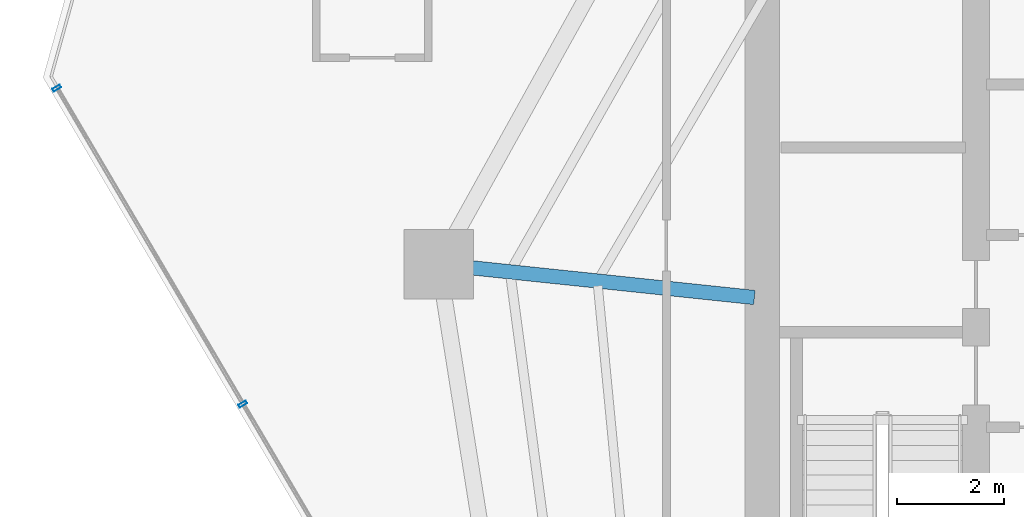
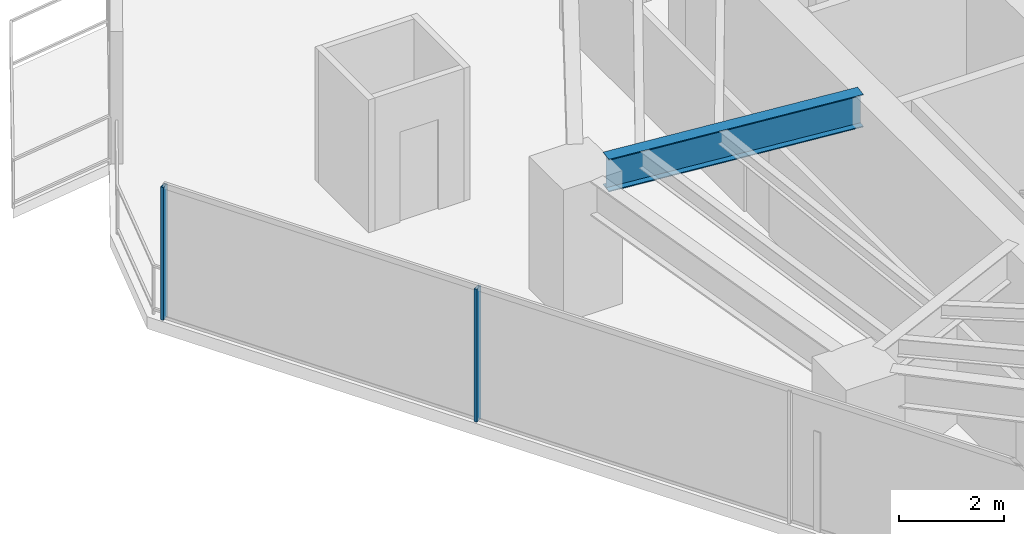
# One storey, part 9 of 31: 2 members, 1 beam, 1 element without a shape of its own.
"""IFC4 building model written with IfcOpenShell, lengths in metres."""

from ifc_helpers import new_model, si_unit, direction, frame, origin, origin_2d, place, context, subcontext, project, spatial, hollow_rectangle, i_section, extrude, material, layer, layer_set, material_profile, profile_set, type_object, element, aggregate, save


model = new_model("IFC4")

# Units and contexts
model_context = context("Model", 3, precision=1e-05, world=origin(), true_north=direction((0.0, 1.0)))
body_context = subcontext(model_context, "Body", "Model", "MODEL_VIEW")
ifc_project = project(units=[si_unit("LENGTHUNIT", "METRE"), si_unit("AREAUNIT", "SQUARE_METRE"), si_unit("VOLUMEUNIT", "CUBIC_METRE"), si_unit("PLANEANGLEUNIT", "RADIAN"), si_unit("MASSUNIT", "GRAM", prefix="KILO")], contexts=[model_context])

# Site, building, storey
site_placement = place(None, origin())
site = spatial("IfcSite", under=ifc_project, at=site_placement, CompositionType="ELEMENT")
building_placement = place(site_placement, origin())
building = spatial("IfcBuilding", under=site, at=building_placement, Name="Qarnah Convention Tower", CompositionType="ELEMENT")
storey_placement = place(building_placement, frame((0.0, 0.0, 68.39990234375)))
storey = spatial("IfcBuildingStorey", under=building, at=storey_placement, Name="L17", CompositionType="ELEMENT", Elevation=68.39990234375)

# Beam
ifc_material_1 = material(Name="Structural steel S355JR", Category="steel")
ifc_material_profile_1 = material_profile(ifc_material_1, i_section(OverallWidth=0.26806640625, OverallDepth=0.760009765625, WebThickness=0.014892578125, FlangeThickness=0.02197265625, at=origin_2d()), Name="W760X185")
ifc_profile_set_1 = profile_set([ifc_material_profile_1], Name="Structural steel S355JR")
beam_type = type_object("IfcBeamType", Name="BM-RAD-W760", PredefinedType="BEAM", material=ifc_profile_set_1)
beam_placement = place(storey_placement, frame((26.65087890625, 27.509033203125, 2.710205078125), z_axis=(-0.99452834613, 0.10446707014, 0.0), x_axis=(-0.10446707014, -0.99452834613, 0.0)))
element("IfcBeam", 1, at=beam_placement, inside=storey, type_object=beam_type, Name="L17 beam BM-L17-RAD-05", PredefinedType="BEAM", context=body_context, shape_type="SweptSolid", body=[
    extrude(i_section(OverallWidth=0.26806640625, OverallDepth=0.760009765625, WebThickness=0.014892578125, FlangeThickness=0.02197265625, at=origin_2d()), origin(), (0.0, 0.0, 1.0), 5.31201171875),
])

# Curtain wall, members
ifc_material_2 = material(Name="Tempered Low-E dark glass", Category="glass")
ifc_layer = layer(ifc_material_2, 0.16796875)
ifc_layer_set = layer_set([ifc_layer], Name="Tempered Low-E dark glass")
curtain_wall_type = type_object("IfcCurtainWallType", Name="CWS-01", PredefinedType="NOTDEFINED", material=ifc_layer_set)
curtain_wall_placement = place(storey_placement, origin())
curtain_wall = element("IfcCurtainWall", 2, at=curtain_wall_placement, inside=storey, type_object=curtain_wall_type, Name="L17 unitised curtain wall CW-L17-F3", PredefinedType="NOTDEFINED")
ifc_material_3 = material(Name="Black anodised aluminium", Category="aluminium")
ifc_material_profile_2 = material_profile(ifc_material_3, hollow_rectangle(XDim=0.06005859375, YDim=0.159912109375, WallThickness=0.00390625, at=origin_2d()), Name="MUL-60X160")
ifc_profile_set_2 = profile_set([ifc_material_profile_2], Name="Black anodised aluminium")
member_type = type_object("IfcMemberType", Name="MUL-T1", PredefinedType="MULLION", material=ifc_profile_set_2)
member_1_placement = place(storey_placement, frame((17.06787109375, 25.512451171875, 0.0), z_axis=(0.0, 0.0, 1.0), x_axis=(-0.507221231725, 0.861815886421, 0.0)))
member_1 = element("IfcMember", 3, at=member_1_placement, type_object=member_type, Name="CW-L17-F3 mullion 5", PredefinedType="MULLION", context=body_context, shape_type="SweptSolid", body=[
    extrude(hollow_rectangle(XDim=0.06005859375, YDim=0.159912109375, WallThickness=0.00390625, at=origin_2d()), origin(), (0.0, 0.0, 1.0), 3.090087890625),
])
member_2_placement = place(storey_placement, frame((13.5849609375, 31.429931640625, 0.0), z_axis=(0.0, 0.0, 1.0), x_axis=(-0.507221231725, 0.861815886421, 0.0)))
member_2 = element("IfcMember", 4, at=member_2_placement, type_object=member_type, Name="CW-L17-F3 mullion 6", PredefinedType="MULLION", context=body_context, shape_type="SweptSolid", body=[
    extrude(hollow_rectangle(XDim=0.06005859375, YDim=0.159912109375, WallThickness=0.00390625, at=origin_2d()), origin(), (0.0, 0.0, 1.0), 3.090087890625),
])
aggregate(curtain_wall, [member_1, member_2])

save(model, "model.ifc")
